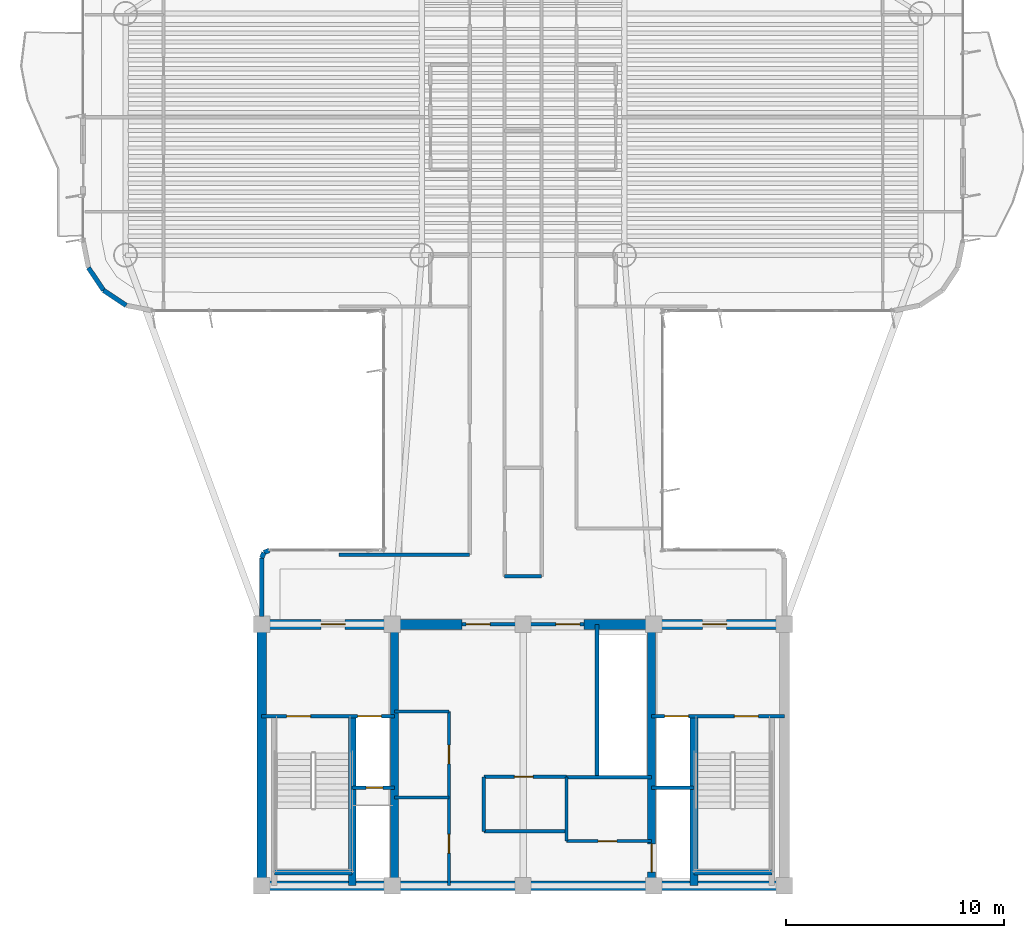
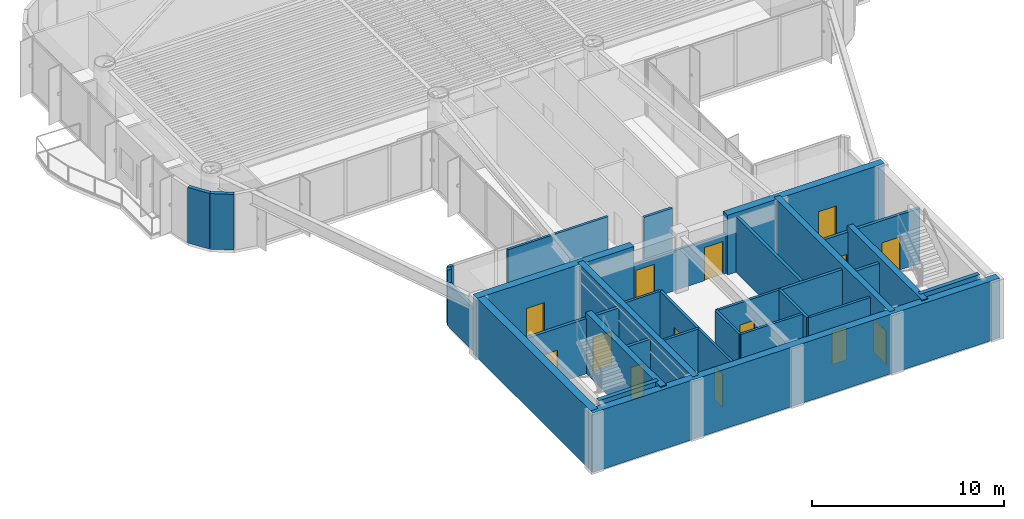
# One storey, part 9 of 15: 32 walls, 14 doors, 14 openings.
"""IFC4 building model written with IfcOpenShell, lengths in metres."""

from ifc_helpers import new_model, si_unit, direction, frame, frame_2d, origin, origin_2d, place, context, subcontext, project, spatial, rectangle, extrude, source, transform, mapped, material, layer, layer_set, type_object, element, fill, save


model = new_model("IFC4")

# Units and contexts
model_context = context("Model", 3, precision=1e-05, world=origin(), true_north=direction((0.0, 1.0)))
body_context = subcontext(model_context, "Body", "Model", "MODEL_VIEW")
ifc_project = project(units=[si_unit("LENGTHUNIT", "METRE"), si_unit("AREAUNIT", "SQUARE_METRE"), si_unit("VOLUMEUNIT", "CUBIC_METRE"), si_unit("PLANEANGLEUNIT", "RADIAN"), si_unit("MASSUNIT", "GRAM", prefix="KILO")], contexts=[model_context])

# Site, building, storey
site_placement = place(None, origin())
site = spatial("IfcSite", under=ifc_project, at=site_placement, CompositionType="ELEMENT")
building_placement = place(site_placement, origin())
building = spatial("IfcBuilding", under=site, at=building_placement, Name="Brelvock Crest Care Tower", CompositionType="ELEMENT")
storey_placement = place(building_placement, frame((0.0, 0.0, 160.199951171875)))
storey = spatial("IfcBuildingStorey", under=building, at=storey_placement, Name="L40", CompositionType="ELEMENT", Elevation=160.199951171875)

# Walls
ifc_material_1 = material(Name="Concrete S65 (65 MPa)", Category="concrete")
ifc_layer_1 = layer(ifc_material_1, 0.449951171875, Name="WL-CS3")
ifc_layer_set_1 = layer_set([ifc_layer_1], Name="Concrete S65 (65 MPa)")
wall_type_1 = type_object("IfcWallType", Name="WL-CS3", PredefinedType="SHEAR", material=ifc_layer_set_1)
wall_1_placement = place(storey_placement, frame((48.22509765625, 6.0, 0.0), z_axis=(0.0, 0.0, 1.0), x_axis=(-1.0, 0.0, 0.0)))
element("IfcWall", 1, at=wall_1_placement, inside=storey, type_object=wall_type_1, Name="L40 Core South Shear Wall", PredefinedType="SHEAR", context=body_context, shape_type="SweptSolid", body=[
    extrude(rectangle(XDim=24.4501953125, YDim=0.449951171875, at=frame_2d((12.22509765625, 0.0))), origin(), (0.0, 0.0, 1.0), 3.780029296875),
])
wall_2_placement = place(storey_placement, frame((24.0, 6.0, 0.0), z_axis=(0.0, 0.0, 1.0), x_axis=(0.0, 1.0, 0.0)))
element("IfcWall", 2, at=wall_2_placement, inside=storey, type_object=wall_type_1, Name="L40 Core West Shear Wall", PredefinedType="SHEAR", context=body_context, shape_type="SweptSolid", body=[
    extrude(rectangle(XDim=12.0, YDim=0.449951171875, at=frame_2d((6.0, 0.0))), origin(), (0.0, 0.0, 1.0), 3.780029296875),
])

# Wall, opening, door
wall_3_placement = place(storey_placement, frame((23.77490234375, 18.0, 0.0), z_axis=(0.0, 0.0, 1.0), x_axis=(1.0, 0.0, 0.0)))
wall_3 = element("IfcWall", 3, at=wall_3_placement, inside=storey, type_object=wall_type_1, Name="L40 Core North-West Shear Wall", PredefinedType="SHEAR", context=body_context, shape_type="SweptSolid", body=[
    extrude(rectangle(XDim=9.425048828125, YDim=0.449951171875, at=frame_2d((4.71240234375, 0.0))), origin(), (0.0, 0.0, 1.0), 3.780029296875),
])
opening_1_placement = place(wall_3_placement, frame((2.949951171875, 0.0, 0.0)))
opening_1 = element("IfcOpeningElement", 4, at=opening_1_placement, cuts=wall_3, Name="Opening FD-1", PredefinedType="OPENING", context=body_context, shape_type="SweptSolid", body=[
    extrude(rectangle(XDim=1.10009765625, YDim=2.10009765625, at=origin_2d()), frame((0.550048828125, 0.23486328125, 1.050048828125), z_axis=(0.0, -1.0, 0.0), x_axis=(1.0, 0.0, 0.0)), (0.0, 0.0, 1.0), 0.469970703125),
])
ifc_material_2 = material(Name="Steel Grade 350", Category="steel")
door_type_1 = type_object("IfcDoorType", Name="DR-FFL1", OperationType="NOTDEFINED", PredefinedType="DOOR", material=ifc_material_2)
shared_shape_1 = source(origin(), body_context, "Body", "SweptSolid", [
    extrude(rectangle(XDim=1.10009765625, YDim=2.10009765625, at=origin_2d()), frame((0.550048828125, 0.02490234375, 1.050048828125), z_axis=(0.0, -1.0, 0.0), x_axis=(1.0, 0.0, 0.0)), (0.0, 0.0, 1.0), 0.050048828125),
])
door_1_placement = place(opening_1_placement, origin())
door_1 = element("IfcDoor", 5, at=door_1_placement, inside=storey, type_object=door_type_1, Name="L40 Firefighting Lobby FFL-1 Exit Door", OperationType="SINGLE_SWING_LEFT", OverallHeight=2.10009765625, OverallWidth=1.10009765625, PredefinedType="DOOR", context=body_context, shape_type="MappedRepresentation", body=[
    mapped(shared_shape_1, transform((0.0, 0.0, 0.0), x_axis=(1.0, 0.0, 0.0), y_axis=(0.0, 1.0, 0.0), z_axis=(0.0, 0.0, 1.0), scale=1.0)),
])
fill(opening_1, door_1)

wall_4_placement = place(storey_placement, frame((38.800048828125, 18.0, 0.0), z_axis=(0.0, 0.0, 1.0), x_axis=(1.0, 0.0, 0.0)))
wall_4 = element("IfcWall", 6, at=wall_4_placement, inside=storey, type_object=wall_type_1, Name="L40 Core North-East Shear Wall", PredefinedType="SHEAR", context=body_context, shape_type="SweptSolid", body=[
    extrude(rectangle(XDim=9.425048828125, YDim=0.449951171875, at=frame_2d((4.71240234375, 0.0))), origin(), (0.0, 0.0, 1.0), 3.780029296875),
])
opening_2_placement = place(wall_4_placement, frame((5.449951171875, 0.0, 0.0)))
opening_2 = element("IfcOpeningElement", 7, at=opening_2_placement, cuts=wall_4, Name="Opening FD-1", PredefinedType="OPENING", context=body_context, shape_type="SweptSolid", body=[
    extrude(rectangle(XDim=1.10009765625, YDim=2.10009765625, at=origin_2d()), frame((0.550048828125, 0.23486328125, 1.050048828125), z_axis=(0.0, -1.0, 0.0), x_axis=(1.0, 0.0, 0.0)), (0.0, 0.0, 1.0), 0.469970703125),
])
door_2_placement = place(opening_2_placement, origin())
door_2 = element("IfcDoor", 8, at=door_2_placement, inside=storey, type_object=door_type_1, Name="L40 Firefighting Lobby FFL-2 Exit Door", OperationType="SINGLE_SWING_RIGHT", OverallHeight=2.10009765625, OverallWidth=1.10009765625, PredefinedType="DOOR", context=body_context, shape_type="MappedRepresentation", body=[
    mapped(shared_shape_1, transform((0.0, 0.0, 0.0), x_axis=(1.0, 0.0, 0.0), y_axis=(0.0, 1.0, 0.0), z_axis=(0.0, 0.0, 1.0), scale=1.0)),
])
fill(opening_2, door_2)

# Wall
ifc_material_3 = material(Name="Concrete S80 (80 MPa)", Category="concrete")
ifc_layer_2 = layer(ifc_material_3, 0.35009765625, Name="WL-CS5")
ifc_layer_set_2 = layer_set([ifc_layer_2], Name="Concrete S80 (80 MPa)")
wall_type_2 = type_object("IfcWallType", Name="WL-CS5", PredefinedType="SHEAR", material=ifc_layer_set_2)
wall_5_placement = place(storey_placement, frame((30.10009765625, 6.0, 0.0), z_axis=(0.0, 0.0, 1.0), x_axis=(0.0, 1.0, 0.0)))
element("IfcWall", 9, at=wall_5_placement, inside=storey, type_object=wall_type_2, Name="L40 Core Internal Web Wall West", PredefinedType="SHEAR", context=body_context, shape_type="SweptSolid", body=[
    extrude(rectangle(XDim=12.0, YDim=0.35009765625, at=frame_2d((6.0, 0.0))), origin(), (0.0, 0.0, 1.0), 3.780029296875),
])

# Wall, opening, door
wall_6_placement = place(storey_placement, frame((41.89990234375, 18.0, 0.0), z_axis=(0.0, 0.0, 1.0), x_axis=(0.0, -1.0, 0.0)))
wall_6 = element("IfcWall", 10, at=wall_6_placement, inside=storey, type_object=wall_type_2, Name="L40 Core Internal Web Wall East", PredefinedType="SHEAR", context=body_context, shape_type="SweptSolid", body=[
    extrude(rectangle(XDim=12.0, YDim=0.35009765625, at=frame_2d((6.0, 0.0))), origin(), (0.0, 0.0, 1.0), 3.780029296875),
])
opening_3_placement = place(wall_6_placement, frame((10.080078125, 0.0, 0.0)))
opening_3 = element("IfcOpeningElement", 11, at=opening_3_placement, cuts=wall_6, Name="Opening LD-S", PredefinedType="OPENING", context=body_context, shape_type="SweptSolid", body=[
    extrude(rectangle(XDim=1.300048828125, YDim=2.10009765625, at=origin_2d()), frame((0.64990234375, 0.18505859375, 1.050048828125), z_axis=(0.0, -1.0, 0.0), x_axis=(1.0, 0.0, 0.0)), (0.0, 0.0, 1.0), 0.3701171875),
])
door_type_2 = type_object("IfcDoorType", Name="DR-LDS1", OperationType="NOTDEFINED", PredefinedType="DOOR", material=ifc_material_2)
shared_shape_2 = source(origin(), body_context, "Body", "SweptSolid", [
    extrude(rectangle(XDim=1.300048828125, YDim=2.10009765625, at=origin_2d()), frame((0.64990234375, 0.02490234375, 1.050048828125), z_axis=(0.0, -1.0, 0.0), x_axis=(1.0, 0.0, 0.0)), (0.0, 0.0, 1.0), 0.050048828125),
])
door_3_placement = place(opening_3_placement, origin())
door_3 = element("IfcDoor", 12, at=door_3_placement, inside=storey, type_object=door_type_2, Name="L40 Clinical Bed Lift SL-1 Landing Door", OperationType="SLIDING_TO_LEFT", OverallHeight=2.10009765625, OverallWidth=1.300048828125, PredefinedType="DOOR", context=body_context, shape_type="MappedRepresentation", body=[
    mapped(shared_shape_2, transform((0.0, 0.0, 0.0), x_axis=(1.0, 0.0, 0.0), y_axis=(0.0, 1.0, 0.0), z_axis=(0.0, 0.0, 1.0), scale=1.0)),
])
fill(opening_3, door_3)

# Walls
for number, where, z_axis, x_axis, name in (
    (13, (28.14990234375, 6.0, 0.0), (0.0, 0.0, 1.0), (0.0, 1.0, 0.0), "L40 Core Stair ST-1 East Shear Wall"),
    (14, (43.85009765625, 6.0, 0.0), (0.0, 0.0, 1.0), (0.0, 1.0, 0.0), "L40 Core Stair ST-2 West Shear Wall"),
):
    element("IfcWall", number, at=place(storey_placement, frame(where, z_axis=z_axis, x_axis=x_axis)), inside=storey, type_object=wall_type_2, Name=name, PredefinedType="SHEAR", context=body_context, shape_type="SweptSolid", body=[
        extrude(rectangle(XDim=7.780029296875, YDim=0.35009765625, at=frame_2d((3.89013671875, 0.0))), origin(), (0.0, 0.0, 1.0), 3.85009765625),
    ])
ifc_layer_3 = layer(ifc_material_3, 0.25, Name="WL-CS6")
ifc_layer_set_3 = layer_set([ifc_layer_3], Name="Concrete S80 (80 MPa)")
wall_type_3 = type_object("IfcWallType", Name="WL-CS6", PredefinedType="SHEAR", material=ifc_layer_set_3)
for number, where, z_axis, x_axis, name in (
    (15, (24.580078125, 6.6201171875, 0.0), (0.0, 0.0, 1.0), (1.0, 0.0, 0.0), "L40 Core Stair ST-1 South Shear Wall"),
    (16, (43.85009765625, 6.6201171875, 0.0), (0.0, 0.0, 1.0), (1.0, 0.0, 0.0), "L40 Core Stair ST-2 South Shear Wall"),
):
    element("IfcWall", number, at=place(storey_placement, frame(where, z_axis=z_axis, x_axis=x_axis)), inside=storey, type_object=wall_type_3, Name=name, PredefinedType="SHEAR", context=body_context, shape_type="SweptSolid", body=[
        extrude(rectangle(XDim=3.56982421875, YDim=0.25, at=frame_2d((1.784912109375, 0.0))), origin(), (0.0, 0.0, 1.0), 3.85009765625),
    ])
ifc_material_4 = material(Name="Precast concrete N40 (40 MPa)", Category="concrete")
ifc_layer_4 = layer(ifc_material_4, 0.215087890625, Name="WL-EX2")
ifc_layer_set_4 = layer_set([ifc_layer_4], Name="Precast concrete N40 (40 MPa)")
wall_type_4 = type_object("IfcWallType", Name="WL-EX2", PredefinedType="SOLIDWALL", material=ifc_layer_set_4)
wall_7_placement = place(storey_placement, frame((24.0, 18.35498046875, 0.0), z_axis=(0.0, 0.0, 1.0), x_axis=(0.0, 1.0, 0.0)))
element("IfcWall", 17, at=wall_7_placement, inside=storey, type_object=wall_type_4, Name="L40 Rounded Corner Wall 07", PredefinedType="SOLIDWALL", context=body_context, shape_type="SweptSolid", body=[
    extrude(rectangle(XDim=2.695068359375, YDim=0.215087890625, at=frame_2d((1.34765625, 0.0))), origin(), (0.0, 0.0, 1.0), 2.718017578125),
])
wall_8_placement = place(storey_placement, frame((24.0, 21.050048828125, 0.0), z_axis=(0.0, 0.0, 1.0), x_axis=(0.382673670509, 0.923883575944, 0.0)))
element("IfcWall", 18, at=wall_8_placement, inside=storey, type_object=wall_type_4, Name="L40 Rounded Corner Wall 08", PredefinedType="SOLIDWALL", context=body_context, shape_type="SweptSolid", body=[
    extrude(rectangle(XDim=0.26806640625, YDim=0.215087890625, at=frame_2d((0.134033203125, 0.0))), origin(), (0.0, 0.0, 1.0), 3.530029296875),
])
wall_9_placement = place(storey_placement, frame((24.1025390625, 21.297607421875, 0.0), z_axis=(0.0, 0.0, 1.0), x_axis=(0.924205486139, 0.381895560841, 0.0)))
element("IfcWall", 19, at=wall_9_placement, inside=storey, type_object=wall_type_4, Name="L40 Rounded Corner Wall 09", PredefinedType="SOLIDWALL", context=body_context, shape_type="SweptSolid", body=[
    extrude(rectangle(XDim=0.267822265625, YDim=0.215087890625, at=frame_2d((0.1337890625, 0.0))), origin(), (0.0, 0.0, 1.0), 3.530029296875),
])
for number, where, z_axis, x_axis, name in (
    (20, (17.775390625, 32.6435546875, 0.0), (0.0, 0.0, 1.0), (-0.831387912822, 0.555692485475, 0.0), "L40 Rounded Corner Wall 14"),
    (21, (16.7373046875, 33.33740234375, 0.0), (0.0, 0.0, 1.0), (-0.555557312883, 0.831478245117, 0.0), "L40 Rounded Corner Wall 15"),
):
    element("IfcWall", number, at=place(storey_placement, frame(where, z_axis=z_axis, x_axis=x_axis)), inside=storey, type_object=wall_type_4, Name=name, PredefinedType="SOLIDWALL", context=body_context, shape_type="SweptSolid", body=[
        extrude(rectangle(XDim=1.24853515625, YDim=0.215087890625, at=frame_2d((0.624267578125, 0.0))), origin(), (0.0, 0.0, 1.0), 3.530029296875),
    ])
ifc_material_5 = material(Name="Masonry Blockwork Acoustic Partition", Category="masonry")
ifc_layer_5 = layer(ifc_material_5, 0.14990234375, Name="WL-INT1")
ifc_layer_set_5 = layer_set([ifc_layer_5], Name="Masonry Blockwork Acoustic Partition")
wall_type_5 = type_object("IfcWallType", Name="WL-INT1", PredefinedType="PARTITIONING", material=ifc_layer_set_5)
wall_10_placement = place(storey_placement, frame((30.10009765625, 14.0, 0.0), z_axis=(0.0, 0.0, 1.0), x_axis=(1.0, 0.0, 0.0)))
element("IfcWall", 22, at=wall_10_placement, inside=storey, type_object=wall_type_5, Name="L40 Interior Wall WL-CRCL-N1-L40", PredefinedType="PARTITIONING", context=body_context, shape_type="SweptSolid", body=[
    extrude(rectangle(XDim=2.5, YDim=0.14990234375, at=frame_2d((1.25, 0.0))), origin(), (0.0, 0.0, 1.0), 3.5),
])
wall_11_placement = place(storey_placement, frame((34.199951171875, 8.5, 0.0), z_axis=(0.0, 0.0, 1.0), x_axis=(1.0, 0.0, 0.0)))
element("IfcWall", 23, at=wall_11_placement, inside=storey, type_object=wall_type_5, Name="L40 Interior Wall WL-CRCM-SW-L40", PredefinedType="PARTITIONING", context=body_context, shape_type="SweptSolid", body=[
    extrude(rectangle(XDim=3.800048828125, YDim=0.14990234375, at=frame_2d((1.89990234375, 0.0))), origin(), (0.0, 0.0, 1.0), 3.5),
])

# Wall, opening, door
wall_12_placement = place(storey_placement, frame((38.0, 8.050048828125, 0.0), z_axis=(0.0, 0.0, 1.0), x_axis=(1.0, 0.0, 0.0)))
wall_12 = element("IfcWall", 24, at=wall_12_placement, inside=storey, type_object=wall_type_5, Name="L40 Interior Wall WL-CRCM-SE-L40", PredefinedType="PARTITIONING", context=body_context, shape_type="SweptSolid", body=[
    extrude(rectangle(XDim=3.89990234375, YDim=0.14990234375, at=frame_2d((1.949951171875, 0.0))), origin(), (0.0, 0.0, 1.0), 3.5),
])
opening_4_placement = place(wall_12_placement, frame((1.449951171875, 0.0, 0.0)))
opening_4 = element("IfcOpeningElement", 25, at=opening_4_placement, cuts=wall_12, Name="Opening ID-1", PredefinedType="OPENING", context=body_context, shape_type="SweptSolid", body=[
    extrude(rectangle(XDim=0.860107421875, YDim=2.10009765625, at=origin_2d()), frame((0.43017578125, 0.0849609375, 1.050048828125), z_axis=(0.0, -1.0, 0.0), x_axis=(1.0, 0.0, 0.0)), (0.0, 0.0, 1.0), 0.169921875),
])
ifc_material_6 = material(Name="Engineered Hardwood Timber", Category="wood")
door_type_3 = type_object("IfcDoorType", Name="DR-INT1", OperationType="NOTDEFINED", PredefinedType="DOOR", material=ifc_material_6)
shared_shape_3 = source(origin(), body_context, "Body", "SweptSolid", [
    extrude(rectangle(XDim=0.860107421875, YDim=2.10009765625, at=origin_2d()), frame((0.43017578125, 0.02490234375, 1.050048828125), z_axis=(0.0, -1.0, 0.0), x_axis=(1.0, 0.0, 0.0)), (0.0, 0.0, 1.0), 0.050048828125),
])
door_4_placement = place(opening_4_placement, origin())
door_4 = element("IfcDoor", 26, at=door_4_placement, inside=storey, type_object=door_type_3, Name="DR-CRCM2-L40", OperationType="SINGLE_SWING_LEFT", OverallHeight=2.10009765625, OverallWidth=0.860107421875, PredefinedType="DOOR", context=body_context, shape_type="MappedRepresentation", body=[
    mapped(shared_shape_3, transform((0.0, 0.0, 0.0), x_axis=(1.0, 0.0, 0.0), y_axis=(0.0, 1.0, 0.0), z_axis=(0.0, 0.0, 1.0), scale=1.0)),
])
fill(opening_4, door_4)

# Walls
wall_13_placement = place(storey_placement, frame((34.199951171875, 8.5, 0.0), z_axis=(0.0, 0.0, 1.0), x_axis=(0.0, 1.0, 0.0)))
element("IfcWall", 27, at=wall_13_placement, inside=storey, type_object=wall_type_5, Name="L40 Interior Wall WL-CRCM-W-L40", PredefinedType="PARTITIONING", context=body_context, shape_type="SweptSolid", body=[
    extrude(rectangle(XDim=2.5, YDim=0.14990234375, at=frame_2d((1.25, 0.0))), origin(), (0.0, 0.0, 1.0), 3.5),
])
wall_14_placement = place(storey_placement, frame((38.0, 8.050048828125, 0.0), z_axis=(0.0, 0.0, 1.0), x_axis=(0.0, 1.0, 0.0)))
element("IfcWall", 28, at=wall_14_placement, inside=storey, type_object=wall_type_5, Name="L40 Interior Wall WL-CRCM-V-L40", PredefinedType="PARTITIONING", context=body_context, shape_type="SweptSolid", body=[
    extrude(rectangle(XDim=2.949951171875, YDim=0.14990234375, at=frame_2d((1.47509765625, 0.0))), origin(), (0.0, 0.0, 1.0), 3.5),
])

# Wall, opening, door
wall_15_placement = place(storey_placement, frame((34.199951171875, 11.0, 0.0), z_axis=(0.0, 0.0, 1.0), x_axis=(1.0, 0.0, 0.0)))
wall_15 = element("IfcWall", 29, at=wall_15_placement, inside=storey, type_object=wall_type_5, Name="L40 Interior Wall WL-CRCM-NW-L40", PredefinedType="PARTITIONING", context=body_context, shape_type="SweptSolid", body=[
    extrude(rectangle(XDim=3.800048828125, YDim=0.14990234375, at=frame_2d((1.89990234375, 0.0))), origin(), (0.0, 0.0, 1.0), 3.5),
])
opening_5_placement = place(wall_15_placement, frame((1.39990234375, 0.0, 0.0)))
opening_5 = element("IfcOpeningElement", 30, at=opening_5_placement, cuts=wall_15, Name="Opening ID-1", PredefinedType="OPENING", context=body_context, shape_type="SweptSolid", body=[
    extrude(rectangle(XDim=0.860107421875, YDim=2.10009765625, at=origin_2d()), frame((0.43017578125, 0.0849609375, 1.050048828125), z_axis=(0.0, -1.0, 0.0), x_axis=(1.0, 0.0, 0.0)), (0.0, 0.0, 1.0), 0.169921875),
])
door_5_placement = place(opening_5_placement, origin())
door_5 = element("IfcDoor", 31, at=door_5_placement, inside=storey, type_object=door_type_3, Name="DR-CRCM1-L40", OperationType="SINGLE_SWING_LEFT", OverallHeight=2.10009765625, OverallWidth=0.860107421875, PredefinedType="DOOR", context=body_context, shape_type="MappedRepresentation", body=[
    mapped(shared_shape_3, transform((0.0, 0.0, 0.0), x_axis=(1.0, 0.0, 0.0), y_axis=(0.0, 1.0, 0.0), z_axis=(0.0, 0.0, 1.0), scale=1.0)),
])
fill(opening_5, door_5)

# Wall
wall_16_placement = place(storey_placement, frame((30.10009765625, 10.050048828125, 0.0), z_axis=(0.0, 0.0, 1.0), x_axis=(1.0, 0.0, 0.0)))
element("IfcWall", 32, at=wall_16_placement, inside=storey, type_object=wall_type_5, Name="L40 Interior Wall WL-CSBW-S1-L40", PredefinedType="PARTITIONING", context=body_context, shape_type="SweptSolid", body=[
    extrude(rectangle(XDim=2.5, YDim=0.14990234375, at=frame_2d((1.25, 0.0))), origin(), (0.0, 0.0, 1.0), 3.5),
])

# Wall, openings, doors
wall_17_placement = place(storey_placement, frame((32.60009765625, 6.0, 0.0), z_axis=(0.0, 0.0, 1.0), x_axis=(0.0, 1.0, 0.0)))
wall_17 = element("IfcWall", 33, at=wall_17_placement, inside=storey, type_object=wall_type_5, Name="L40 Interior Wall WL-CRCL-E-L40", PredefinedType="PARTITIONING", context=body_context, shape_type="SweptSolid", body=[
    extrude(rectangle(XDim=8.0, YDim=0.14990234375, at=frame_2d((4.0, 0.0))), origin(), (0.0, 0.0, 1.0), 3.5),
])
opening_6_placement = place(wall_17_placement, frame((1.5, 0.0, 0.0)))
opening_6 = element("IfcOpeningElement", 34, at=opening_6_placement, cuts=wall_17, Name="Opening ID-1", PredefinedType="OPENING", context=body_context, shape_type="SweptSolid", body=[
    extrude(rectangle(XDim=0.860107421875, YDim=2.10009765625, at=origin_2d()), frame((0.43017578125, 0.0849609375, 1.050048828125), z_axis=(0.0, -1.0, 0.0), x_axis=(1.0, 0.0, 0.0)), (0.0, 0.0, 1.0), 0.169921875),
])
opening_7_placement = place(wall_17_placement, frame((5.60009765625, 0.0, 0.0)))
opening_7 = element("IfcOpeningElement", 35, at=opening_7_placement, cuts=wall_17, Name="Opening ID-1", PredefinedType="OPENING", context=body_context, shape_type="SweptSolid", body=[
    extrude(rectangle(XDim=0.860107421875, YDim=2.10009765625, at=origin_2d()), frame((0.43017578125, 0.0849609375, 1.050048828125), z_axis=(0.0, -1.0, 0.0), x_axis=(1.0, 0.0, 0.0)), (0.0, 0.0, 1.0), 0.169921875),
])
door_6_placement = place(opening_6_placement, origin())
door_6 = element("IfcDoor", 36, at=door_6_placement, inside=storey, type_object=door_type_3, Name="DR-CSBW-L40", OperationType="SINGLE_SWING_LEFT", OverallHeight=2.10009765625, OverallWidth=0.860107421875, PredefinedType="DOOR", context=body_context, shape_type="MappedRepresentation", body=[
    mapped(shared_shape_3, transform((0.0, 0.0, 0.0), x_axis=(1.0, 0.0, 0.0), y_axis=(0.0, 1.0, 0.0), z_axis=(0.0, 0.0, 1.0), scale=1.0)),
])
fill(opening_6, door_6)
door_7_placement = place(opening_7_placement, origin())
door_7 = element("IfcDoor", 37, at=door_7_placement, inside=storey, type_object=door_type_3, Name="DR-CRCL1-L40", OperationType="SINGLE_SWING_LEFT", OverallHeight=2.10009765625, OverallWidth=0.860107421875, PredefinedType="DOOR", context=body_context, shape_type="MappedRepresentation", body=[
    mapped(shared_shape_3, transform((0.0, 0.0, 0.0), x_axis=(1.0, 0.0, 0.0), y_axis=(0.0, 1.0, 0.0), z_axis=(0.0, 0.0, 1.0), scale=1.0)),
])
fill(opening_7, door_7)

wall_18_placement = place(storey_placement, frame((33.199951171875, 18.0, 0.0), z_axis=(0.0, 0.0, 1.0), x_axis=(1.0, 0.0, 0.0)))
wall_18 = element("IfcWall", 38, at=wall_18_placement, inside=storey, type_object=wall_type_5, Name="L40 Interior Wall WL-CORE-NPORT-L40", PredefinedType="PARTITIONING", context=body_context, shape_type="SweptSolid", body=[
    extrude(rectangle(XDim=5.60009765625, YDim=0.14990234375, at=frame_2d((2.800048828125, 0.0))), origin(), (0.0, 0.0, 1.0), 2.51513671875),
])
opening_8_placement = place(wall_18_placement, frame((0.18994140625, 0.0, 0.0)))
opening_8 = element("IfcOpeningElement", 39, at=opening_8_placement, cuts=wall_18, Name="Opening FD-1", PredefinedType="OPENING", context=body_context, shape_type="SweptSolid", body=[
    extrude(rectangle(XDim=1.10009765625, YDim=2.10009765625, at=origin_2d()), frame((0.550048828125, 0.0849609375, 1.050048828125), z_axis=(0.0, -1.0, 0.0), x_axis=(1.0, 0.0, 0.0)), (0.0, 0.0, 1.0), 0.169921875),
])
opening_9_placement = place(wall_18_placement, frame((4.31005859375, 0.0, 0.0)))
opening_9 = element("IfcOpeningElement", 40, at=opening_9_placement, cuts=wall_18, Name="Opening FD-1", PredefinedType="OPENING", context=body_context, shape_type="SweptSolid", body=[
    extrude(rectangle(XDim=1.10009765625, YDim=2.10009765625, at=origin_2d()), frame((0.550048828125, 0.0849609375, 1.050048828125), z_axis=(0.0, -1.0, 0.0), x_axis=(1.0, 0.0, 0.0)), (0.0, 0.0, 1.0), 0.169921875),
])
door_8_placement = place(opening_8_placement, origin())
door_8 = element("IfcDoor", 41, at=door_8_placement, inside=storey, type_object=door_type_1, Name="L40 Lift Lobby North Smoke Door West", OperationType="SINGLE_SWING_LEFT", OverallHeight=2.10009765625, OverallWidth=1.10009765625, PredefinedType="DOOR", context=body_context, shape_type="MappedRepresentation", body=[
    mapped(shared_shape_1, transform((0.0, 0.0, 0.0), x_axis=(1.0, 0.0, 0.0), y_axis=(0.0, 1.0, 0.0), z_axis=(0.0, 0.0, 1.0), scale=1.0)),
])
fill(opening_8, door_8)
door_9_placement = place(opening_9_placement, origin())
door_9 = element("IfcDoor", 42, at=door_9_placement, inside=storey, type_object=door_type_1, Name="L40 Lift Lobby North Smoke Door East", OperationType="SINGLE_SWING_RIGHT", OverallHeight=2.10009765625, OverallWidth=1.10009765625, PredefinedType="DOOR", context=body_context, shape_type="MappedRepresentation", body=[
    mapped(shared_shape_1, transform((0.0, 0.0, 0.0), x_axis=(1.0, 0.0, 0.0), y_axis=(0.0, 1.0, 0.0), z_axis=(0.0, 0.0, 1.0), scale=1.0)),
])
fill(opening_9, door_9)

# Walls
wall_19_placement = place(storey_placement, frame((27.5576171875, 21.199951171875, 0.0), z_axis=(0.0, 0.0, 1.0), x_axis=(1.0, 0.0, 0.0)))
element("IfcWall", 43, at=wall_19_placement, inside=storey, type_object=wall_type_5, Name="L40 Interior Wall WL-BX-L40-THRW-S", PredefinedType="PARTITIONING", context=body_context, shape_type="SweptSolid", body=[
    extrude(rectangle(XDim=5.992431640625, YDim=0.14990234375, at=frame_2d((2.99609375, 0.0))), origin(), (0.0, 0.0, 1.0), 3.5),
])
ifc_material_7 = material(Name="Gypsum Plasterboard Partition", Category="gypsum")
ifc_layer_6 = layer(ifc_material_7, 0.159912109375, Name="WL-PLM1")
ifc_layer_set_6 = layer_set([ifc_layer_6], Name="Gypsum Plasterboard Partition")
wall_type_6 = type_object("IfcWallType", Name="WL-PLM1", PredefinedType="PLUMBINGWALL", material=ifc_layer_set_6)
wall_20_placement = place(storey_placement, frame((35.14990234375, 20.199951171875, 0.0), z_axis=(0.0, 0.0, 1.0), x_axis=(1.0, 0.0, 0.0)))
element("IfcWall", 44, at=wall_20_placement, inside=storey, type_object=wall_type_6, Name="L40 Interior Wall WL-BX-L40-ISWC-S", PredefinedType="PLUMBINGWALL", context=body_context, shape_type="SweptSolid", body=[
    extrude(rectangle(XDim=1.7001953125, YDim=0.159912109375, at=frame_2d((0.85009765625, 0.0))), origin(), (0.0, 0.0, 1.0), 3.5),
])
ifc_layer_7 = layer(ifc_material_5, 0.179931640625, Name="WL-SHF1")
ifc_layer_set_7 = layer_set([ifc_layer_7], Name="Masonry Blockwork Acoustic Partition")
wall_type_7 = type_object("IfcWallType", Name="WL-SHF1", PredefinedType="PARTITIONING", material=ifc_layer_set_7)
wall_21_placement = place(storey_placement, frame((38.0, 10.97998046875, 0.0), z_axis=(0.0, 0.0, 1.0), x_axis=(1.0, 0.0, 0.0)))
element("IfcWall", 45, at=wall_21_placement, inside=storey, type_object=wall_type_7, Name="L40 Interior Wall WL-CRCM-NE-L40", PredefinedType="PARTITIONING", context=body_context, shape_type="SweptSolid", body=[
    extrude(rectangle(XDim=3.89990234375, YDim=0.179931640625, at=frame_2d((1.949951171875, 0.0))), origin(), (0.0, 0.0, 1.0), 3.5),
])
wall_22_placement = place(storey_placement, frame((39.39990234375, 11.0, 0.0), z_axis=(0.0, 0.0, 1.0), x_axis=(0.0, 1.0, 0.0)))
element("IfcWall", 46, at=wall_22_placement, inside=storey, type_object=wall_type_7, Name="L40 Interior Wall WL-PLH-SHF-L40", PredefinedType="PARTITIONING", context=body_context, shape_type="SweptSolid", body=[
    extrude(rectangle(XDim=7.0, YDim=0.179931640625, at=frame_2d((3.5, 0.0))), origin(), (0.0, 0.0, 1.0), 3.5),
])

# Wall, openings, doors
wall_23_placement = place(storey_placement, frame((24.0, 13.780029296875, 0.0), z_axis=(0.0, 0.0, 1.0), x_axis=(1.0, 0.0, 0.0)))
wall_23 = element("IfcWall", 47, at=wall_23_placement, inside=storey, type_object=wall_type_7, Name="L40 Interior Wall WL-ST1-N-L40", PredefinedType="PARTITIONING", context=body_context, shape_type="SweptSolid", body=[
    extrude(rectangle(XDim=6.10009765625, YDim=0.179931640625, at=frame_2d((3.050048828125, 0.0))), origin(), (0.0, 0.0, 1.0), 3.5),
])
opening_10_placement = place(wall_23_placement, frame((1.14990234375, 0.0, 0.0)))
opening_10 = element("IfcOpeningElement", 48, at=opening_10_placement, cuts=wall_23, Name="Opening SD-1", PredefinedType="OPENING", context=body_context, shape_type="SweptSolid", body=[
    extrude(rectangle(XDim=1.10009765625, YDim=2.10009765625, at=origin_2d()), frame((0.550048828125, 0.10009765625, 1.050048828125), z_axis=(0.0, -1.0, 0.0), x_axis=(1.0, 0.0, 0.0)), (0.0, 0.0, 1.0), 0.199951171875),
])
opening_11_placement = place(wall_23_placement, frame((4.39990234375, 0.0, 0.0)))
opening_11 = element("IfcOpeningElement", 49, at=opening_11_placement, cuts=wall_23, Name="Opening LD", PredefinedType="OPENING", context=body_context, shape_type="SweptSolid", body=[
    extrude(rectangle(XDim=1.10009765625, YDim=2.10009765625, at=origin_2d()), frame((0.550048828125, 0.10009765625, 1.050048828125), z_axis=(0.0, -1.0, 0.0), x_axis=(1.0, 0.0, 0.0)), (0.0, 0.0, 1.0), 0.199951171875),
])
door_type_4 = type_object("IfcDoorType", Name="DR-ST1", OperationType="NOTDEFINED", PredefinedType="DOOR", material=ifc_material_2)
shared_shape_4 = source(origin(), body_context, "Body", "SweptSolid", [
    extrude(rectangle(XDim=1.10009765625, YDim=2.10009765625, at=origin_2d()), frame((0.550048828125, 0.02490234375, 1.050048828125), z_axis=(0.0, -1.0, 0.0), x_axis=(1.0, 0.0, 0.0)), (0.0, 0.0, 1.0), 0.050048828125),
])
door_10_placement = place(opening_10_placement, origin())
door_10 = element("IfcDoor", 50, at=door_10_placement, inside=storey, type_object=door_type_4, Name="L40 Fire Stair ST-1 Door", OperationType="SINGLE_SWING_LEFT", OverallHeight=2.10009765625, OverallWidth=1.10009765625, PredefinedType="DOOR", context=body_context, shape_type="MappedRepresentation", body=[
    mapped(shared_shape_4, transform((0.0, 0.0, 0.0), x_axis=(1.0, 0.0, 0.0), y_axis=(0.0, 1.0, 0.0), z_axis=(0.0, 0.0, 1.0), scale=1.0)),
])
fill(opening_10, door_10)
door_type_5 = type_object("IfcDoorType", Name="DR-LD1", OperationType="NOTDEFINED", PredefinedType="DOOR", material=ifc_material_2)
shared_shape_5 = source(origin(), body_context, "Body", "SweptSolid", [
    extrude(rectangle(XDim=1.10009765625, YDim=2.10009765625, at=origin_2d()), frame((0.550048828125, 0.02490234375, 1.050048828125), z_axis=(0.0, -1.0, 0.0), x_axis=(1.0, 0.0, 0.0)), (0.0, 0.0, 1.0), 0.050048828125),
])
door_11_placement = place(opening_11_placement, origin())
door_11 = element("IfcDoor", 51, at=door_11_placement, inside=storey, type_object=door_type_5, Name="L40 Firefighting Lift FFL-1 Landing Door", OperationType="SLIDING_TO_LEFT", OverallHeight=2.10009765625, OverallWidth=1.10009765625, PredefinedType="DOOR", context=body_context, shape_type="MappedRepresentation", body=[
    mapped(shared_shape_5, transform((0.0, 0.0, 0.0), x_axis=(1.0, 0.0, 0.0), y_axis=(0.0, 1.0, 0.0), z_axis=(0.0, 0.0, 1.0), scale=1.0)),
])
fill(opening_11, door_11)

# Wall, opening, door
wall_24_placement = place(storey_placement, frame((28.14990234375, 10.5, 0.0), z_axis=(0.0, 0.0, 1.0), x_axis=(1.0, 0.0, 0.0)))
wall_24 = element("IfcWall", 52, at=wall_24_placement, inside=storey, type_object=wall_type_7, Name="L40 Interior Wall WL-FFH1-S-L40", PredefinedType="PARTITIONING", context=body_context, shape_type="SweptSolid", body=[
    extrude(rectangle(XDim=1.9501953125, YDim=0.179931640625, at=frame_2d((0.97509765625, 0.0))), origin(), (0.0, 0.0, 1.0), 3.5),
])
opening_12_placement = place(wall_24_placement, frame((0.64990234375, 0.0, 0.0)))
opening_12 = element("IfcOpeningElement", 53, at=opening_12_placement, cuts=wall_24, Name="Opening RD-1", PredefinedType="OPENING", context=body_context, shape_type="SweptSolid", body=[
    extrude(rectangle(XDim=0.760009765625, YDim=2.050048828125, at=origin_2d()), frame((0.3798828125, 0.10009765625, 1.02490234375), z_axis=(0.0, -1.0, 0.0), x_axis=(1.0, 0.0, 0.0)), (0.0, 0.0, 1.0), 0.199951171875),
])
door_type_6 = type_object("IfcDoorType", Name="DR-RIS1", OperationType="NOTDEFINED", PredefinedType="DOOR", material=ifc_material_2)
shared_shape_6 = source(origin(), body_context, "Body", "SweptSolid", [
    extrude(rectangle(XDim=0.760009765625, YDim=2.050048828125, at=origin_2d()), frame((0.3798828125, 0.02490234375, 1.02490234375), z_axis=(0.0, -1.0, 0.0), x_axis=(1.0, 0.0, 0.0)), (0.0, 0.0, 1.0), 0.050048828125),
])
door_12_placement = place(opening_12_placement, origin())
door_12 = element("IfcDoor", 54, at=door_12_placement, inside=storey, type_object=door_type_6, Name="L40 Wet Fire Riser Access Door", OperationType="SINGLE_SWING_LEFT", OverallHeight=2.050048828125, OverallWidth=0.760009765625, PredefinedType="DOOR", context=body_context, shape_type="MappedRepresentation", body=[
    mapped(shared_shape_6, transform((0.0, 0.0, 0.0), x_axis=(1.0, 0.0, 0.0), y_axis=(0.0, 1.0, 0.0), z_axis=(0.0, 0.0, 1.0), scale=1.0)),
])
fill(opening_12, door_12)

# Wall, openings, doors
wall_25_placement = place(storey_placement, frame((41.89990234375, 13.780029296875, 0.0), z_axis=(0.0, 0.0, 1.0), x_axis=(1.0, 0.0, 0.0)))
wall_25 = element("IfcWall", 55, at=wall_25_placement, inside=storey, type_object=wall_type_7, Name="L40 Interior Wall WL-ST2-N-L40", PredefinedType="PARTITIONING", context=body_context, shape_type="SweptSolid", body=[
    extrude(rectangle(XDim=6.10009765625, YDim=0.179931640625, at=frame_2d((3.050048828125, 0.0))), origin(), (0.0, 0.0, 1.0), 3.5),
])
opening_13_placement = place(wall_25_placement, frame((0.60009765625, 0.0, 0.0)))
opening_13 = element("IfcOpeningElement", 56, at=opening_13_placement, cuts=wall_25, Name="Opening LD", PredefinedType="OPENING", context=body_context, shape_type="SweptSolid", body=[
    extrude(rectangle(XDim=1.10009765625, YDim=2.10009765625, at=origin_2d()), frame((0.550048828125, 0.10009765625, 1.050048828125), z_axis=(0.0, -1.0, 0.0), x_axis=(1.0, 0.0, 0.0)), (0.0, 0.0, 1.0), 0.199951171875),
])
opening_14_placement = place(wall_25_placement, frame((3.800048828125, 0.0, 0.0)))
opening_14 = element("IfcOpeningElement", 57, at=opening_14_placement, cuts=wall_25, Name="Opening SD-1", PredefinedType="OPENING", context=body_context, shape_type="SweptSolid", body=[
    extrude(rectangle(XDim=1.10009765625, YDim=2.10009765625, at=origin_2d()), frame((0.550048828125, 0.10009765625, 1.050048828125), z_axis=(0.0, -1.0, 0.0), x_axis=(1.0, 0.0, 0.0)), (0.0, 0.0, 1.0), 0.199951171875),
])
door_13_placement = place(opening_14_placement, origin())
door_13 = element("IfcDoor", 58, at=door_13_placement, inside=storey, type_object=door_type_4, Name="L40 Fire Stair ST-2 Door", OperationType="SINGLE_SWING_RIGHT", OverallHeight=2.10009765625, OverallWidth=1.10009765625, PredefinedType="DOOR", context=body_context, shape_type="MappedRepresentation", body=[
    mapped(shared_shape_4, transform((0.0, 0.0, 0.0), x_axis=(1.0, 0.0, 0.0), y_axis=(0.0, 1.0, 0.0), z_axis=(0.0, 0.0, 1.0), scale=1.0)),
])
fill(opening_14, door_13)
door_14_placement = place(opening_13_placement, origin())
door_14 = element("IfcDoor", 59, at=door_14_placement, inside=storey, type_object=door_type_5, Name="L40 Firefighting Lift FFL-2 Landing Door", OperationType="SLIDING_TO_RIGHT", OverallHeight=2.10009765625, OverallWidth=1.10009765625, PredefinedType="DOOR", context=body_context, shape_type="MappedRepresentation", body=[
    mapped(shared_shape_5, transform((0.0, 0.0, 0.0), x_axis=(1.0, 0.0, 0.0), y_axis=(0.0, 1.0, 0.0), z_axis=(0.0, 0.0, 1.0), scale=1.0)),
])
fill(opening_13, door_14)

# Wall
wall_26_placement = place(storey_placement, frame((41.89990234375, 10.5, 0.0), z_axis=(0.0, 0.0, 1.0), x_axis=(1.0, 0.0, 0.0)))
element("IfcWall", 60, at=wall_26_placement, inside=storey, type_object=wall_type_7, Name="L40 Interior Wall WL-FFH2-S-L40", PredefinedType="PARTITIONING", context=body_context, shape_type="SweptSolid", body=[
    extrude(rectangle(XDim=1.9501953125, YDim=0.179931640625, at=frame_2d((0.97509765625, 0.0))), origin(), (0.0, 0.0, 1.0), 3.5),
])

save(model, "model.ifc")
